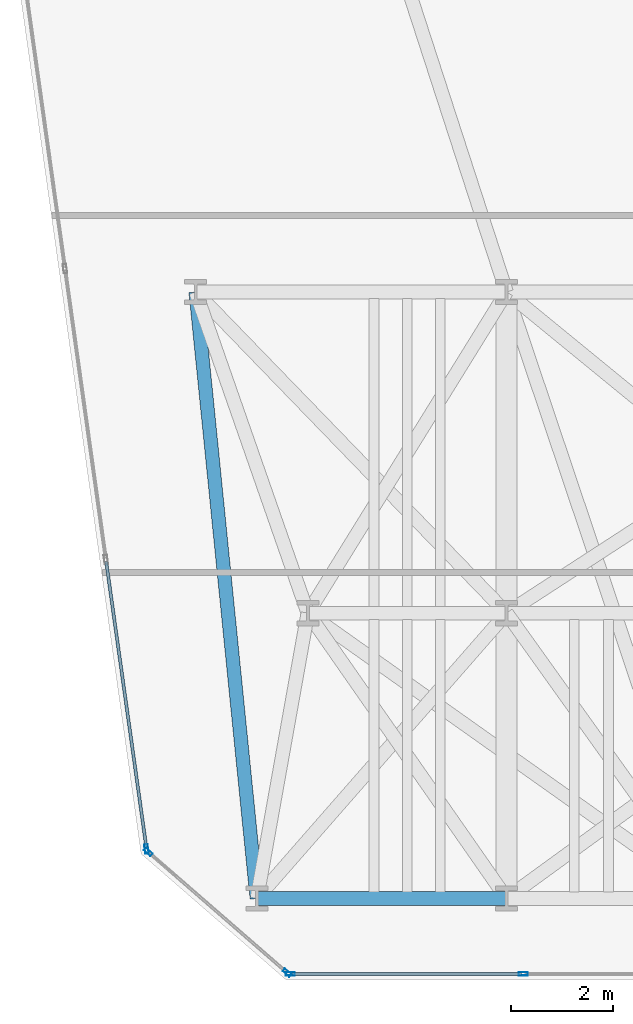
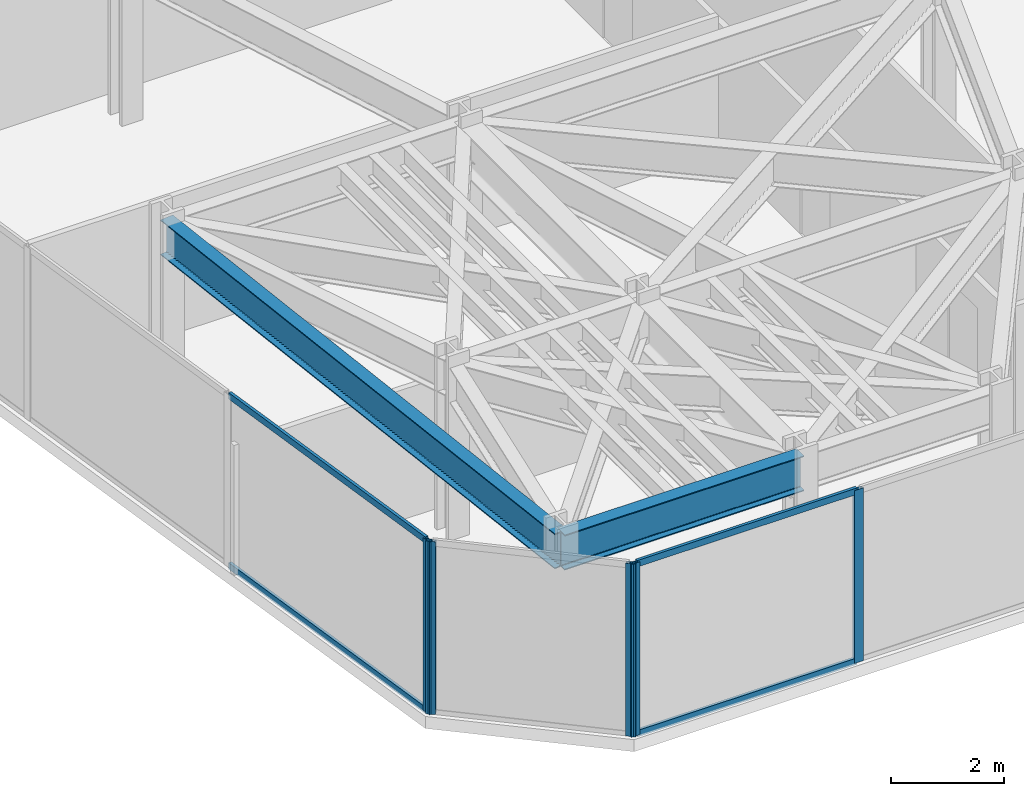
# One storey, part 2 of 25: 9 members, 2 beams, 3 elements without a shape of their own.
"""IFC4 building model written with IfcOpenShell, lengths in metres."""

from ifc_helpers import new_model, si_unit, direction, frame, origin, origin_2d, place, context, subcontext, project, spatial, hollow_rectangle, i_section, extrude, material, layer, layer_set, material_profile, profile_set, type_object, element, aggregate, save


model = new_model("IFC4")

# Units and contexts
model_context = context("Model", 3, precision=1e-05, world=origin(), true_north=direction((0.0, 1.0)))
body_context = subcontext(model_context, "Body", "Model", "MODEL_VIEW")
ifc_project = project(units=[si_unit("LENGTHUNIT", "METRE"), si_unit("AREAUNIT", "SQUARE_METRE"), si_unit("VOLUMEUNIT", "CUBIC_METRE"), si_unit("PLANEANGLEUNIT", "RADIAN"), si_unit("MASSUNIT", "GRAM", prefix="KILO")], contexts=[model_context])

# Site, building, storey
site_placement = place(None, origin())
site = spatial("IfcSite", under=ifc_project, at=site_placement, CompositionType="ELEMENT")
building_placement = place(site_placement, origin())
building = spatial("IfcBuilding", under=site, at=building_placement, Name="Kravanh Interchange Tower", CompositionType="ELEMENT")
storey_placement = place(building_placement, frame((0.0, 0.0, 65.5)))
storey = spatial("IfcBuildingStorey", under=building, at=storey_placement, Name="L15", CompositionType="ELEMENT", Elevation=65.5)

# Curtain wall, member
ifc_material_1 = material(Name="Anodised Bronze Aluminium", Category="aluminium")
ifc_layer = layer(ifc_material_1, 0.179931640625)
ifc_layer_set = layer_set([ifc_layer], Name="Unitised Curtain Wall System CW-Z1 Lower Office")
curtain_wall_type = type_object("IfcCurtainWallType", Name="Unitised Curtain Wall System CW-Z1 Lower Office", PredefinedType="NOTDEFINED", material=ifc_layer_set)
curtain_wall_1_placement = place(storey_placement, origin())
curtain_wall_1 = element("IfcCurtainWall", 1, at=curtain_wall_1_placement, inside=storey, type_object=curtain_wall_type, Name="L15 Unitised Curtain Wall CW-L15-01", PredefinedType="NOTDEFINED")
ifc_material_2 = material(Name="Anodised Bronze Aluminium", Category="aluminium")
ifc_material_profile_1 = material_profile(ifc_material_2, hollow_rectangle(XDim=0.070068359375, YDim=0.179931640625, WallThickness=0.00390625, at=origin_2d()), Name="ALU70X180X4")
ifc_profile_set_1 = profile_set([ifc_material_profile_1], Name="Anodised Bronze Aluminium")
member_type_1 = type_object("IfcMemberType", Name="Curtain Wall Mullion ALU70X180X4 Bronze", PredefinedType="MULLION", material=ifc_profile_set_1)
member_1_placement = place(storey_placement, frame((10.435546875, 3.571533203125, 0.0), z_axis=(0.0, 0.0, 1.0), x_axis=(-0.990267585682, -0.139176538065, 0.0)))
member_1 = element("IfcMember", 2, at=member_1_placement, type_object=member_type_1, Name="CW-Z1 mullion 1", PredefinedType="MULLION", context=body_context, shape_type="SweptSolid", body=[
    extrude(hollow_rectangle(XDim=0.070068359375, YDim=0.179931640625, WallThickness=0.00390625, at=origin_2d()), origin(), (0.0, 0.0, 1.0), 3.739990234375),
])

# Curtain wall, members
curtain_wall_2_placement = place(storey_placement, origin())
curtain_wall_2 = element("IfcCurtainWall", 3, at=curtain_wall_2_placement, inside=storey, type_object=curtain_wall_type, Name="L15 Unitised Curtain Wall CW-L15-06", PredefinedType="NOTDEFINED")
member_2_placement = place(storey_placement, frame((17.8271484375, 1.1201171875, 0.0), z_axis=(0.0, 0.0, 1.0), x_axis=(0.0, -1.0, 0.0)))
member_2 = element("IfcMember", 4, at=member_2_placement, type_object=member_type_1, Name="CW-Z1 mullion 2", PredefinedType="MULLION", context=body_context, shape_type="SweptSolid", body=[
    extrude(hollow_rectangle(XDim=0.070068359375, YDim=0.179931640625, WallThickness=0.00390625, at=origin_2d()), origin(), (0.0, 0.0, 1.0), 3.739990234375),
])
member_3_placement = place(storey_placement, frame((13.255615234375, 1.1201171875, 0.0), z_axis=(0.0, 0.0, 1.0), x_axis=(0.0, -1.0, 0.0)))
member_3 = element("IfcMember", 5, at=member_3_placement, type_object=member_type_1, Name="CW-Z1 mullion 3", PredefinedType="MULLION", context=body_context, shape_type="SweptSolid", body=[
    extrude(hollow_rectangle(XDim=0.070068359375, YDim=0.179931640625, WallThickness=0.00390625, at=origin_2d()), origin(), (0.0, 0.0, 1.0), 3.739990234375),
])

curtain_wall_3_placement = place(storey_placement, origin())
curtain_wall_3 = element("IfcCurtainWall", 6, at=curtain_wall_3_placement, inside=storey, type_object=curtain_wall_type, Name="L15 Unitised Curtain Wall CW-L15-07", PredefinedType="NOTDEFINED")
member_4_placement = place(storey_placement, frame((13.194091796875, 1.14306640625, 0.0), z_axis=(0.0, 0.0, 1.0), x_axis=(-0.656060422341, -0.754708368999, 0.0)))
member_4 = element("IfcMember", 7, at=member_4_placement, type_object=member_type_1, Name="CW-Z1 mullion 1", PredefinedType="MULLION", context=body_context, shape_type="SweptSolid", body=[
    extrude(hollow_rectangle(XDim=0.070068359375, YDim=0.179931640625, WallThickness=0.00390625, at=origin_2d()), origin(), (0.0, 0.0, 1.0), 3.739990234375),
])
member_5_placement = place(storey_placement, frame((10.466796875, 3.513916015625, 0.0), z_axis=(0.0, 0.0, 1.0), x_axis=(-0.656060422341, -0.754708368999, 0.0)))
member_5 = element("IfcMember", 8, at=member_5_placement, type_object=member_type_1, Name="CW-Z1 mullion 2", PredefinedType="MULLION", context=body_context, shape_type="SweptSolid", body=[
    extrude(hollow_rectangle(XDim=0.070068359375, YDim=0.179931640625, WallThickness=0.00390625, at=origin_2d()), origin(), (0.0, 0.0, 1.0), 3.739990234375),
])
aggregate(curtain_wall_3, [member_4, member_5])

# Member
ifc_material_3 = material(Name="Anodised Bronze Aluminium", Category="aluminium")
ifc_material_profile_2 = material_profile(ifc_material_3, hollow_rectangle(XDim=0.06005859375, YDim=0.139892578125, WallThickness=0.00390625, at=origin_2d()), Name="ALU60X140X4")
ifc_profile_set_2 = profile_set([ifc_material_profile_2], Name="Anodised Bronze Aluminium")
member_type_2 = type_object("IfcMemberType", Name="Curtain Wall Transom ALU60X140X4 Bronze", PredefinedType="USERDEFINED", material=ifc_profile_set_2)
member_6_placement = place(storey_placement, frame((10.4306640625, 3.606201171875, 0.030029296875), z_axis=(-0.139199330487, 0.990264382068, 0.0), x_axis=(-0.990264382068, -0.139199330487, 0.0)))
member_6 = element("IfcMember", 9, at=member_6_placement, type_object=member_type_2, Name="CW-Z1 transom 1.1", ObjectType="TRANSOM", PredefinedType="USERDEFINED", context=body_context, shape_type="SweptSolid", body=[
    extrude(hollow_rectangle(XDim=0.06005859375, YDim=0.139892578125, WallThickness=0.00390625, at=origin_2d()), origin(), (0.0, 0.0, 1.0), 5.66162109375),
])

member_7_placement = place(storey_placement, frame((10.4306640625, 3.606201171875, 3.7099609375), z_axis=(-0.139199330487, 0.990264382068, 0.0), x_axis=(-0.990264382068, -0.139199330487, 0.0)))
member_7 = element("IfcMember", 10, at=member_7_placement, type_object=member_type_2, Name="CW-Z1 transom 1.2", ObjectType="TRANSOM", PredefinedType="USERDEFINED", context=body_context, shape_type="SweptSolid", body=[
    extrude(hollow_rectangle(XDim=0.06005859375, YDim=0.139892578125, WallThickness=0.00390625, at=origin_2d()), origin(), (0.0, 0.0, 1.0), 5.66162109375),
])

aggregate(curtain_wall_1, [member_1, member_6, member_7])

member_8_placement = place(storey_placement, frame((17.792236328125, 1.1201171875, 0.030029296875), z_axis=(-1.0, 0.0, 0.0), x_axis=(0.0, -1.0, 0.0)))
member_8 = element("IfcMember", 11, at=member_8_placement, type_object=member_type_2, Name="CW-Z1 transom 2.1", ObjectType="TRANSOM", PredefinedType="USERDEFINED", context=body_context, shape_type="SweptSolid", body=[
    extrude(hollow_rectangle(XDim=0.06005859375, YDim=0.139892578125, WallThickness=0.00390625, at=origin_2d()), origin(), (0.0, 0.0, 1.0), 4.501708984375),
])

member_9_placement = place(storey_placement, frame((17.792236328125, 1.1201171875, 3.7099609375), z_axis=(-1.0, 0.0, 0.0), x_axis=(0.0, -1.0, 0.0)))
member_9 = element("IfcMember", 12, at=member_9_placement, type_object=member_type_2, Name="CW-Z1 transom 2.2", ObjectType="TRANSOM", PredefinedType="USERDEFINED", context=body_context, shape_type="SweptSolid", body=[
    extrude(hollow_rectangle(XDim=0.06005859375, YDim=0.139892578125, WallThickness=0.00390625, at=origin_2d()), origin(), (0.0, 0.0, 1.0), 4.501708984375),
])

aggregate(curtain_wall_2, [member_2, member_3, member_8, member_9])

# Beams
ifc_material_4 = material(Name="Structural Steel S355", Category="steel")
ifc_material_profile_3 = material_profile(ifc_material_4, i_section(OverallWidth=0.26708984375, OverallDepth=0.761962890625, WebThickness=0.014404296875, FlangeThickness=0.021484375, FilletRadius=0.02490234375, at=origin_2d()), Name="W30X116")
ifc_profile_set_3 = profile_set([ifc_material_profile_3], Name="Structural Steel S355")
beam_type = type_object("IfcBeamType", Name="Floor Spandrel W30X116 Structural Steel S355", PredefinedType="SPANDREL", material=ifc_profile_set_3)
beam_1_placement = place(storey_placement, frame((12.60009765625, 2.60009765625, 3.35888671875), z_axis=(1.0, 0.0, 0.0), x_axis=(0.0, 1.0, 0.0)))
element("IfcBeam", 13, at=beam_1_placement, inside=storey, type_object=beam_type, Name="L15 Perimeter Spandrel 38", PredefinedType="SPANDREL", context=body_context, shape_type="SweptSolid", body=[
    extrude(i_section(OverallWidth=0.26708984375, OverallDepth=0.761962890625, WebThickness=0.014404296875, FlangeThickness=0.021484375, FilletRadius=0.02490234375, at=origin_2d()), origin(), (0.0, 0.0, 1.0), 4.89990234375),
])
beam_2_placement = place(storey_placement, frame((12.60009765625, 2.60009765625, 3.35888671875), z_axis=(-0.100348483042, 0.994952351598, 0.0), x_axis=(-0.994952351598, -0.100348483042, 0.0)))
element("IfcBeam", 14, at=beam_2_placement, inside=storey, type_object=beam_type, Name="L15 Perimeter Spandrel 41", PredefinedType="SPANDREL", context=body_context, shape_type="SweptSolid", body=[
    extrude(i_section(OverallWidth=0.26708984375, OverallDepth=0.761962890625, WebThickness=0.014404296875, FlangeThickness=0.021484375, FilletRadius=0.02490234375, at=origin_2d()), origin(), (0.0, 0.0, 1.0), 11.960205078125),
])

save(model, "model.ifc")
